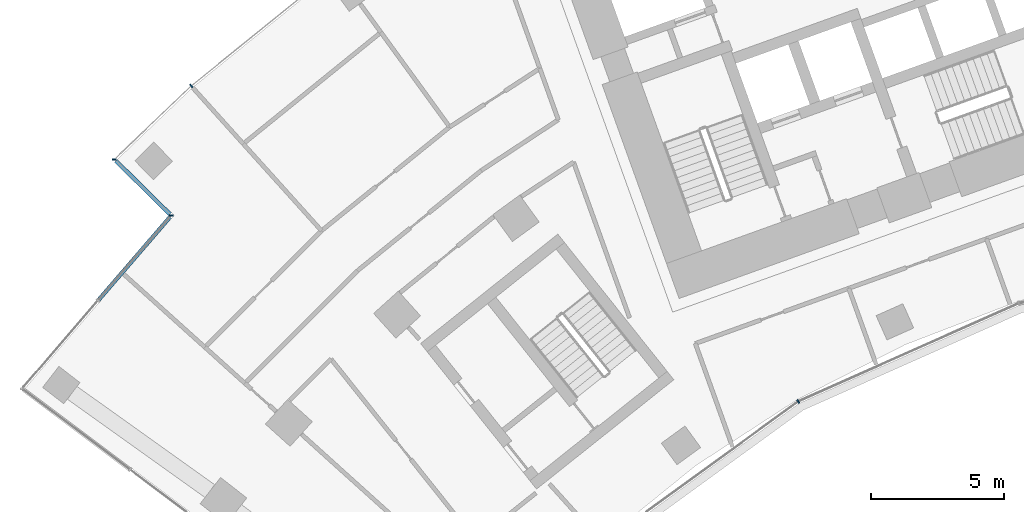
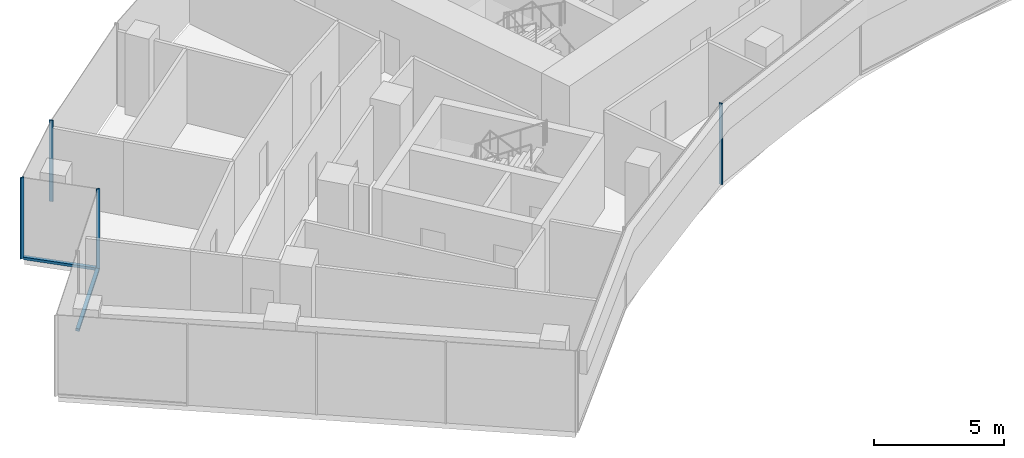
# One storey, part 3 of 20: 6 members, 4 elements without a shape of their own.
"""IFC4 building model written with IfcOpenShell, lengths in metres."""

from ifc_helpers import new_model, si_unit, direction, frame, origin, origin_2d, place, context, subcontext, project, spatial, rectangle, extrude, material, layer, layer_set, material_profile, profile_set, type_object, element, aggregate, save


model = new_model("IFC4")

# Units and contexts
model_context = context("Model", 3, precision=1e-05, world=origin(), true_north=direction((0.0, 1.0)))
body_context = subcontext(model_context, "Body", "Model", "MODEL_VIEW")
ifc_project = project(units=[si_unit("LENGTHUNIT", "METRE"), si_unit("AREAUNIT", "SQUARE_METRE"), si_unit("VOLUMEUNIT", "CUBIC_METRE"), si_unit("PLANEANGLEUNIT", "RADIAN"), si_unit("MASSUNIT", "GRAM", prefix="KILO")], contexts=[model_context])

# Site, building, storey
site_placement = place(None, origin())
site = spatial("IfcSite", under=ifc_project, at=site_placement, CompositionType="ELEMENT")
building_placement = place(site_placement, origin())
building = spatial("IfcBuilding", under=site, at=building_placement, Name="Stone Belt Terrace Tower", CompositionType="ELEMENT")
storey_placement = place(building_placement, frame((0.0, 0.0, 147.800048828125)))
storey = spatial("IfcBuildingStorey", under=building, at=storey_placement, Name="L35", CompositionType="ELEMENT", Elevation=147.800048828125)

# Curtain wall, member
ifc_material = material(Name="Aluminium 6063-T6 anodised frame", Category="aluminium")
ifc_layer_1 = layer(ifc_material, 0.14990234375)
ifc_layer_set_1 = layer_set([ifc_layer_1], Name="CW-A unitised convex-face curtain wall")
curtain_wall_type_1 = type_object("IfcCurtainWallType", Name="CW-A unitised convex-face curtain wall", PredefinedType="NOTDEFINED", material=ifc_layer_set_1)
curtain_wall_1_placement = place(storey_placement, origin())
curtain_wall_1 = element("IfcCurtainWall", 1, at=curtain_wall_1_placement, inside=storey, type_object=curtain_wall_type_1, Name="CW-A convex face L35", PredefinedType="NOTDEFINED")
ifc_material_profile_1 = material_profile(ifc_material, rectangle(XDim=0.14990234375, YDim=0.06005859375, at=origin_2d()), Name="Aluminium 6063-T6 60x150")
ifc_profile_set_1 = profile_set([ifc_material_profile_1], Name="Aluminium 6063-T6 anodised frame")
member_type_1 = type_object("IfcMemberType", Name="CW-A mullion 60 x 150", PredefinedType="MULLION", material=ifc_profile_set_1)
member_1_placement = place(storey_placement, frame((-44.546875, 49.4755859375, 0.0), z_axis=(0.0, 0.0, 1.0), x_axis=(0.660573481499, -0.75076139721, 0.0)))
member_1 = element("IfcMember", 2, at=member_1_placement, type_object=member_type_1, Name="CW-A mullion 16", PredefinedType="MULLION", context=body_context, shape_type="SweptSolid", body=[
    extrude(rectangle(XDim=0.14990234375, YDim=0.06005859375, at=origin_2d()), origin(), (0.0, 0.0, 1.0), 3.800048828125),
])
aggregate(curtain_wall_1, [member_1])

ifc_layer_2 = layer(ifc_material, 0.14990234375)
ifc_layer_set_2 = layer_set([ifc_layer_2], Name="CW-B unitised concave-face curtain wall")
curtain_wall_type_2 = type_object("IfcCurtainWallType", Name="CW-B unitised concave-face curtain wall", PredefinedType="NOTDEFINED", material=ifc_layer_set_2)
curtain_wall_2_placement = place(storey_placement, origin())
curtain_wall_2 = element("IfcCurtainWall", 3, at=curtain_wall_2_placement, inside=storey, type_object=curtain_wall_type_2, Name="CW-B concave face L35", PredefinedType="NOTDEFINED")
ifc_material_profile_2 = material_profile(ifc_material, rectangle(XDim=0.14990234375, YDim=0.050048828125, at=origin_2d()), Name="Aluminium 6063-T6 50x150")
ifc_profile_set_2 = profile_set([ifc_material_profile_2], Name="Aluminium 6063-T6 anodised frame")
member_type_2 = type_object("IfcMemberType", Name="CW-B mullion 50 x 150", PredefinedType="MULLION", material=ifc_profile_set_2)
member_2_placement = place(storey_placement, frame((-21.71240234375, 37.606689453125, 0.0), z_axis=(0.0, 0.0, 1.0), x_axis=(-0.5, 0.866025403784, 0.0)))
member_2 = element("IfcMember", 4, at=member_2_placement, type_object=member_type_2, Name="CW-B mullion 3", PredefinedType="MULLION", context=body_context, shape_type="SweptSolid", body=[
    extrude(rectangle(XDim=0.14990234375, YDim=0.050048828125, at=origin_2d()), origin(), (0.0, 0.0, 1.0), 3.800048828125),
])
aggregate(curtain_wall_2, [member_2])

ifc_layer_3 = layer(ifc_material, 0.14990234375)
ifc_layer_set_3 = layer_set([ifc_layer_3], Name="CW-C stick curtain wall, horn ends and notches")
curtain_wall_type_3 = type_object("IfcCurtainWallType", Name="CW-C stick curtain wall, horn ends and notches", PredefinedType="NOTDEFINED", material=ifc_layer_set_3)
curtain_wall_3_placement = place(storey_placement, origin())
curtain_wall_3 = element("IfcCurtainWall", 5, at=curtain_wall_3_placement, inside=storey, type_object=curtain_wall_type_3, Name="CW-C notch face L35", PredefinedType="NOTDEFINED")
ifc_material_profile_3 = material_profile(ifc_material, rectangle(XDim=0.14990234375, YDim=0.06005859375, at=origin_2d()), Name="Aluminium 6063-T6 60x150")
ifc_profile_set_3 = profile_set([ifc_material_profile_3], Name="Aluminium 6063-T6 anodised frame")
member_type_3 = type_object("IfcMemberType", Name="CW-C mullion 60 x 150", PredefinedType="MULLION", material=ifc_profile_set_3)
member_3_placement = place(storey_placement, frame((-47.4365234375, 46.715087890625, 0.0), z_axis=(0.0, 0.0, 1.0), x_axis=(0.999966480105, -0.008187714406, 0.0)))
member_3 = element("IfcMember", 6, at=member_3_placement, type_object=member_type_3, Name="CW-C mullion 1", PredefinedType="MULLION", context=body_context, shape_type="SweptSolid", body=[
    extrude(rectangle(XDim=0.14990234375, YDim=0.06005859375, at=origin_2d()), origin(), (0.0, 0.0, 1.0), 3.800048828125),
])

curtain_wall_4_placement = place(storey_placement, origin())
curtain_wall_4 = element("IfcCurtainWall", 7, at=curtain_wall_4_placement, inside=storey, type_object=curtain_wall_type_3, Name="CW-C notch face L35", PredefinedType="NOTDEFINED")
member_4_placement = place(storey_placement, frame((-45.29638671875, 44.602783203125, 0.0), z_axis=(0.0, 0.0, 1.0), x_axis=(0.999185209744, 0.040359839301, 0.0)))
member_4 = element("IfcMember", 8, at=member_4_placement, type_object=member_type_3, Name="CW-C mullion 1", PredefinedType="MULLION", context=body_context, shape_type="SweptSolid", body=[
    extrude(rectangle(XDim=0.14990234375, YDim=0.06005859375, at=origin_2d()), origin(), (0.0, 0.0, 1.0), 3.800048828125),
])

# Member
ifc_material_profile_4 = material_profile(ifc_material, rectangle(XDim=0.14990234375, YDim=0.1201171875, at=origin_2d()), Name="Aluminium 6063-T6 150x120")
ifc_profile_set_4 = profile_set([ifc_material_profile_4], Name="Aluminium 6063-T6 anodised frame")
member_type_4 = type_object("IfcMemberType", Name="CW-C transom 120 x 150", PredefinedType="USERDEFINED", material=ifc_profile_set_4)
member_5_placement = place(storey_placement, frame((-47.383544921875, 46.66259765625, 0.06005859375), z_axis=(0.711744791626, -0.702438147877, 0.0), x_axis=(0.702438147877, 0.711744791626, 0.0)))
member_5 = element("IfcMember", 9, at=member_5_placement, type_object=member_type_4, Name="CW-C transom 1.1", ObjectType="TRANSOM", PredefinedType="USERDEFINED", context=body_context, shape_type="SweptSolid", body=[
    extrude(rectangle(XDim=0.14990234375, YDim=0.1201171875, at=origin_2d()), origin(), (0.0, 0.0, 1.0), 2.859375),
])

aggregate(curtain_wall_3, [member_3, member_5])

member_6_placement = place(storey_placement, frame((-45.343994140625, 44.54736328125, 0.06005859375), z_axis=(-0.652755588772, -0.757568572029, 0.0), x_axis=(0.757568572029, -0.652755588772, 0.0)))
member_6 = element("IfcMember", 10, at=member_6_placement, type_object=member_type_4, Name="CW-C transom 1.1", ObjectType="TRANSOM", PredefinedType="USERDEFINED", context=body_context, shape_type="SweptSolid", body=[
    extrude(rectangle(XDim=0.14990234375, YDim=0.1201171875, at=origin_2d()), origin(), (0.0, 0.0, 1.0), 4.12060546875),
])

aggregate(curtain_wall_4, [member_4, member_6])

save(model, "model.ifc")
